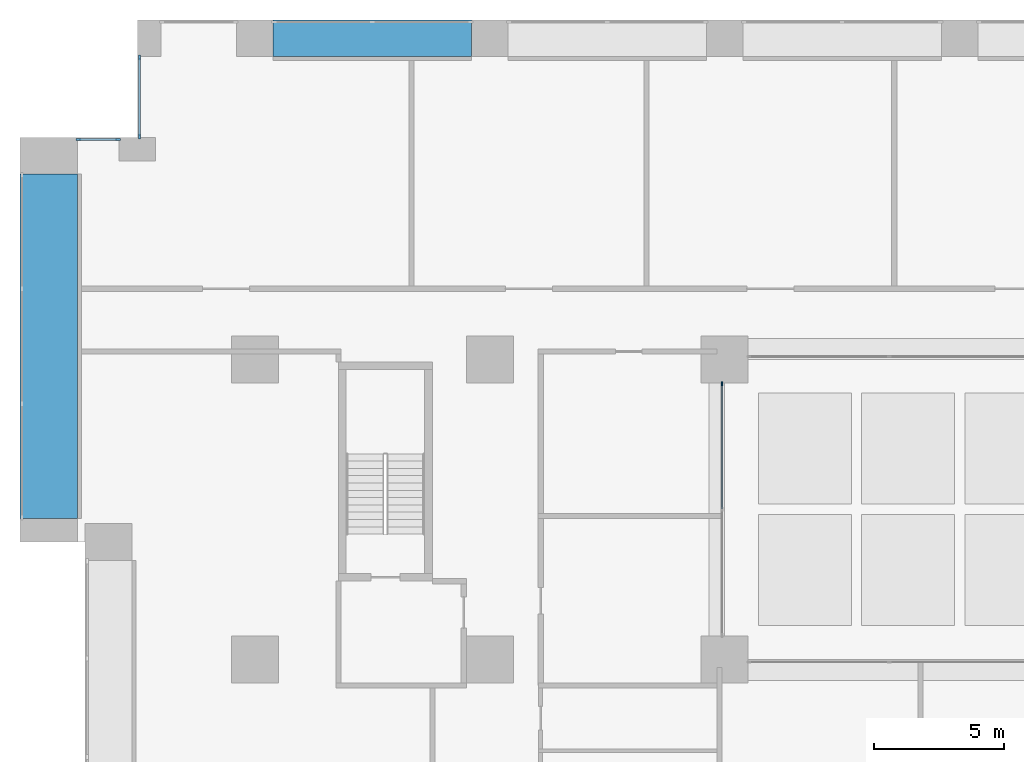
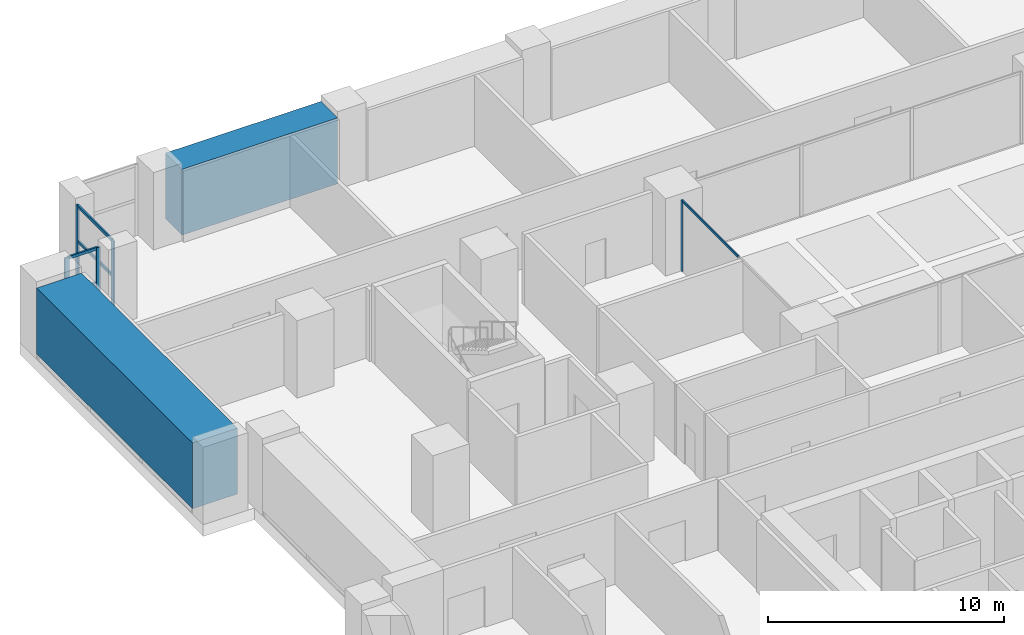
# One storey, part 6 of 24: 10 members, 2 beams, 3 elements without a shape of their own.
"""IFC4 building model written with IfcOpenShell, lengths in metres."""

import ifcopenshell
import ifcopenshell.guid

model = None  # the IFC model being written
_history = None  # IfcOwnerHistory: only IFC2X3 demands one
_inside = {}  # id of a spatial element -> (the spatial element, [elements in it])
_under = {}  # id of a project, library or spatial element -> (it, [spatial elements below it])
_declared = {}  # id of a project -> (the project, [libraries it declares])
_typed = {}  # id of a type object -> (the type object, [elements of that type])
_made_of = {}  # id of a material, layer set ... -> (it, [elements and type objects made of it])


def new_model(schema):
    """Start an empty IFC model of exactly this schema.

    Asked for "IFC4X3", IfcOpenShell would pick the latest addendum, in which some entities
    have other attributes; the version numbers below select the first issue.
    IFC2X3 requires an IfcOwnerHistory on every rooted entity: one is made here for all.
    """
    global model, _history
    if schema == "IFC4X3":
        model = ifcopenshell.file(schema_version=(4, 3, 0, 0))
    else:
        model = ifcopenshell.file(schema=schema)
    _inside.clear()
    _under.clear()
    _declared.clear()
    _typed.clear()
    _made_of.clear()
    _history = None
    if model.schema == "IFC2X3":
        org = make("IfcOrganization", Name="unknown")
        user = make(
            "IfcPersonAndOrganization",
            ThePerson=make("IfcPerson", FamilyName="unknown"),
            TheOrganization=org,
        )
        app = make(
            "IfcApplication",
            ApplicationDeveloper=org,
            Version="unknown",
            ApplicationFullName="unknown",
            ApplicationIdentifier="unknown",
        )
        _history = make(
            "IfcOwnerHistory",
            OwningUser=user,
            OwningApplication=app,
            ChangeAction="ADDED",
            CreationDate=0,
        )
    return model


def make(cls, **values):
    """One entity of the class cls with the attributes given. An attribute that is None is left unset."""
    return model.create_entity(
        cls, **{name: value for name, value in values.items() if value is not None}
    )


def rooted(cls, **values):
    """An entity with a GlobalId (a new one), such as an element, a storey or a relation."""
    return make(cls, GlobalId=ifcopenshell.guid.new(), OwnerHistory=_history, **values)


def si_unit(unit_type, name, prefix=None):
    """IfcSIUnit, for example si_unit("LENGTHUNIT", "METRE", prefix="MILLI")."""
    return make("IfcSIUnit", UnitType=unit_type, Prefix=prefix, Name=name)


def assignment(units):
    """IfcUnitAssignment: the units of a project."""
    return None if units is None else make("IfcUnitAssignment", Units=units)


def point(xyz):
    """IfcCartesianPoint."""
    return None if xyz is None else make("IfcCartesianPoint", Coordinates=xyz)


def direction(xyz):
    """IfcDirection."""
    return None if xyz is None else make("IfcDirection", DirectionRatios=xyz)


def frame(location, z_axis=None, x_axis=None):
    """IfcAxis2Placement3D, a coordinate frame: its origin and axes. An axis left out is left unset."""
    return make(
        "IfcAxis2Placement3D",
        Location=point(location),
        Axis=direction(z_axis),
        RefDirection=direction(x_axis),
    )


def frame_2d(location, x_axis=None):
    """IfcAxis2Placement2D, a coordinate frame in the plane: its origin and x axis."""
    return make(
        "IfcAxis2Placement2D", Location=point(location), RefDirection=direction(x_axis)
    )


def origin():
    """The frame at (0, 0, 0) with its axes left unset."""
    return frame((0.0, 0.0, 0.0))


def origin_2d():
    """The frame at (0, 0) in the plane with its x axis left unset."""
    return frame_2d((0.0, 0.0))


def place(relative_to, where):
    """IfcLocalPlacement: puts the frame where relative to a parent placement (None: the world)."""
    return make(
        "IfcLocalPlacement", PlacementRelTo=relative_to, RelativePlacement=where
    )


def context(
    kind, dimensions, precision=None, world=None, true_north=None, identifier=None
):
    """IfcGeometricRepresentationContext, for example the 3D "Model" context."""
    return make(
        "IfcGeometricRepresentationContext",
        ContextIdentifier=identifier,
        ContextType=kind,
        CoordinateSpaceDimension=dimensions,
        Precision=precision,
        WorldCoordinateSystem=world,
        TrueNorth=true_north,
    )


def subcontext(parent, identifier, kind, view, scale=None):
    """IfcGeometricRepresentationSubContext, for example "Body" below "Model"."""
    return make(
        "IfcGeometricRepresentationSubContext",
        ContextIdentifier=identifier,
        ContextType=kind,
        ParentContext=parent,
        TargetScale=scale,
        TargetView=view,
    )


def project(units=None, contexts=None):
    """IfcProject with its units and contexts."""
    return rooted(
        "IfcProject",
        Name="project",
        RepresentationContexts=contexts,
        UnitsInContext=assignment(units),
    )


def spatial(cls, under=None, at=None, **own):
    """A site, building, storey or space (cls), placed at a placement, below another one or the project."""
    s = rooted(cls, ObjectPlacement=at, **own)
    if under is not None:
        _under.setdefault(under.id(), (under, []))[1].append(s)
    return s


def profile(cls, at=None, kind="AREA", **sizes):
    """A parametric profile (cls). Its sizes go by their IFC names, for example OverallWidth=200.0."""
    return make(cls, ProfileType=kind, Position=at, **sizes)


def rectangle(**sizes):
    """IfcRectangleProfileDef."""
    return profile("IfcRectangleProfileDef", **sizes)


def extrude(swept, where, along, depth):
    """IfcExtrudedAreaSolid: the profile swept, set in the frame where, extruded along a direction by depth."""
    return make(
        "IfcExtrudedAreaSolid",
        SweptArea=swept,
        Position=where,
        ExtrudedDirection=direction(along),
        Depth=depth,
    )


def shape(context_of_items, identifier, shape_type, items):
    """IfcShapeRepresentation: the items that make up one representation, for example the "Body"."""
    return make(
        "IfcShapeRepresentation",
        ContextOfItems=context_of_items,
        RepresentationIdentifier=identifier,
        RepresentationType=shape_type,
        Items=items,
    )


def material(Name=None, Category=None):
    """IfcMaterial."""
    return make("IfcMaterial", Name=Name, Category=Category)


def layer(
    of_material, thickness, ventilated=None, Name=None, Category=None, Priority=None
):
    """IfcMaterialLayer: one layer of a wall or slab, of a material (None: an air gap)."""
    return make(
        "IfcMaterialLayer",
        Material=of_material,
        LayerThickness=thickness,
        IsVentilated=ventilated,
        Name=Name,
        Category=Category,
        Priority=Priority,
    )


def layer_set(layers, Name=None):
    """IfcMaterialLayerSet."""
    return make("IfcMaterialLayerSet", MaterialLayers=layers, LayerSetName=Name)


def material_profile(
    of_material, cross_section, Name=None, Category=None, Priority=None
):
    """IfcMaterialProfile: a cross section and its material."""
    return make(
        "IfcMaterialProfile",
        Name=Name,
        Material=of_material,
        Profile=cross_section,
        Priority=Priority,
        Category=Category,
    )


def profile_set(profiles, Name=None, composite=None):
    """IfcMaterialProfileSet."""
    return make(
        "IfcMaterialProfileSet",
        Name=Name,
        MaterialProfiles=profiles,
        CompositeProfile=composite,
    )


def made_of(thing, what):
    """Note that an element or type object is made of a material, layer set ...; save() writes the relation."""
    if what is not None:
        _made_of.setdefault(what.id(), (what, []))[1].append(thing)
    return thing


def type_object(cls, material=None, **own):
    """A type object (cls), such as IfcWallType, which elements share."""
    return made_of(rooted(cls, **own), material)


def element(
    cls,
    number,
    at=None,
    inside=None,
    cuts=None,
    type_object=None,
    material=None,
    context=None,
    identifier="Body",
    shape_type=None,
    held_by="IfcProductDefinitionShape",
    body=None,
    shapes=None,
    **own,
):
    """One element of the class cls, such as IfcWall. Its Tag is "e" and its number.

    at: its placement. inside: the storey or other place that contains it. cuts: it is an
    opening in that element (IfcRelVoidsElement). A single representation is given by context,
    identifier, shape_type and body (its items); several are given by shapes. held_by: the class
    of the entity that holds the representations. save() writes the other relations.
    """
    e = rooted(cls, Tag="e%d" % number, ObjectPlacement=at, **own)
    if body is not None:
        shapes = [shape(context, identifier, shape_type, body)]
    if shapes is not None:
        e.Representation = make(held_by, Representations=shapes)
    if inside is not None:
        _inside.setdefault(inside.id(), (inside, []))[1].append(e)
    if cuts is not None:
        rooted(
            "IfcRelVoidsElement", RelatingBuildingElement=cuts, RelatedOpeningElement=e
        )
    if type_object is not None:
        _typed.setdefault(type_object.id(), (type_object, []))[1].append(e)
    return made_of(e, material)


def aggregate(whole, parts):
    """IfcRelAggregates: a whole, such as a stair, and the parts it consists of."""
    return rooted("IfcRelAggregates", RelatingObject=whole, RelatedObjects=parts)


def save(model, path):
    """Write the relations noted so far, then the file.

    IfcRelAggregates (storeys below a building ...), IfcRelContainedInSpatialStructure (elements
    in a storey), IfcRelDefinesByType, IfcRelAssociatesMaterial and IfcRelDeclares: one each for
    every whole, place, type object, material and project.
    """
    for whole, parts in _under.values():
        aggregate(whole, parts)
    for where, things in _inside.values():
        rooted(
            "IfcRelContainedInSpatialStructure",
            RelatedElements=things,
            RelatingStructure=where,
        )
    for kind, things in _typed.values():
        rooted("IfcRelDefinesByType", RelatedObjects=things, RelatingType=kind)
    for what, things in _made_of.values():
        rooted("IfcRelAssociatesMaterial", RelatedObjects=things, RelatingMaterial=what)
    for by, libraries in _declared.values():
        rooted("IfcRelDeclares", RelatingContext=by, RelatedDefinitions=libraries)
    model.write(path)


model = new_model("IFC4")

# Units and contexts
model_context = context("Model", 3, precision=1e-05, world=origin(), true_north=direction((0.0, 1.0)))
body_context = subcontext(model_context, "Body", "Model", "MODEL_VIEW")
ifc_project = project(units=[si_unit("LENGTHUNIT", "METRE"), si_unit("AREAUNIT", "SQUARE_METRE"), si_unit("VOLUMEUNIT", "CUBIC_METRE"), si_unit("PLANEANGLEUNIT", "RADIAN"), si_unit("MASSUNIT", "GRAM", prefix="KILO")], contexts=[model_context])

# Site, building, storey
site_placement = place(None, origin())
site = spatial("IfcSite", under=ifc_project, at=site_placement, CompositionType="ELEMENT")
building_placement = place(site_placement, origin())
building = spatial("IfcBuilding", under=site, at=building_placement, Name="Brigalow Station Residences", CompositionType="ELEMENT")
storey_placement = place(building_placement, frame((0.0, 0.0, 15.5)))
storey = spatial("IfcBuildingStorey", under=building, at=storey_placement, Name="L03", CompositionType="ELEMENT", Elevation=15.5)

# Curtain wall, members
ifc_material_1 = material(Name="Aluminium", Category="aluminium")
ifc_layer_1 = layer(ifc_material_1, 0.14990234375)
ifc_layer_set_1 = layer_set([ifc_layer_1], Name="ATRIUM FIRE-RATED GLAZING CURTAIN WALL")
curtain_wall_type_1 = type_object("IfcCurtainWallType", Name="ATRIUM FIRE-RATED GLAZING CURTAIN WALL", PredefinedType="NOTDEFINED", material=ifc_layer_set_1)
curtain_wall_1_placement = place(storey_placement, origin())
curtain_wall_1 = element("IfcCurtainWall", 1, at=curtain_wall_1_placement, inside=storey, type_object=curtain_wall_type_1, Name="L03/cw/atrium-W", PredefinedType="NOTDEFINED")
ifc_material_2 = material(Name="Aluminium", Category="aluminium")
ifc_material_profile_1 = material_profile(ifc_material_2, rectangle(XDim=0.06005859375, YDim=0.14990234375, at=origin_2d()), Name="ATRIUM FIRE-RATED GLAZING MULLION 60x150")
ifc_profile_set_1 = profile_set([ifc_material_profile_1], Name="Aluminium")
member_type_1 = type_object("IfcMemberType", Name="ATRIUM FIRE-RATED GLAZING MULLION 60x150", PredefinedType="MULLION", material=ifc_profile_set_1)
member_1_placement = place(storey_placement, frame((26.89990234375, 34.570068359375, 0.0), z_axis=(0.0, 0.0, 1.0), x_axis=(1.0, 0.0, 0.0)))
member_1 = element("IfcMember", 2, at=member_1_placement, type_object=member_type_1, Name="L03/cw/atrium-W/M00", PredefinedType="MULLION", context=body_context, shape_type="SweptSolid", body=[
    extrude(rectangle(XDim=0.06005859375, YDim=0.14990234375, at=origin_2d()), origin(), (0.0, 0.0, 1.0), 3.679931640625),
])
ifc_material_3 = material(Name="Aluminium", Category="aluminium")
ifc_material_profile_2 = material_profile(ifc_material_3, rectangle(XDim=0.06005859375, YDim=0.1201171875, at=origin_2d()), Name="ATRIUM FIRE-RATED GLAZING TRANSOM 60x120")
ifc_profile_set_2 = profile_set([ifc_material_profile_2], Name="Aluminium")
member_type_2 = type_object("IfcMemberType", Name="ATRIUM FIRE-RATED GLAZING TRANSOM 60x120", PredefinedType="USERDEFINED", material=ifc_profile_set_2)
member_2_placement = place(storey_placement, frame((26.89990234375, 34.5400390625, 3.64990234375), z_axis=(0.0, -1.0, 0.0), x_axis=(1.0, 0.0, 0.0)))
member_2 = element("IfcMember", 3, at=member_2_placement, type_object=member_type_2, Name="L03/cw/atrium-W/T00-00", ObjectType="TRANSOM", PredefinedType="USERDEFINED", context=body_context, shape_type="SweptSolid", body=[
    extrude(rectangle(XDim=0.06005859375, YDim=0.1201171875, at=origin_2d()), origin(), (0.0, 0.0, 1.0), 4.760009765625),
])
aggregate(curtain_wall_1, [member_1, member_2])

ifc_material_4 = material(Name="Aluminium", Category="aluminium")
ifc_layer_2 = layer(ifc_material_4, 0.199951171875)
ifc_layer_set_2 = layer_set([ifc_layer_2], Name="REFUGE FLOOR LOUVRE CURTAIN WALL")
curtain_wall_type_2 = type_object("IfcCurtainWallType", Name="REFUGE FLOOR LOUVRE CURTAIN WALL", PredefinedType="NOTDEFINED", material=ifc_layer_set_2)
curtain_wall_2_placement = place(storey_placement, origin())
curtain_wall_2 = element("IfcCurtainWall", 4, at=curtain_wall_2_placement, inside=storey, type_object=curtain_wall_type_2, Name="L03/cw/louvre-W-L03-40-8", PredefinedType="NOTDEFINED")
ifc_material_5 = material(Name="Aluminium", Category="aluminium")
ifc_material_profile_3 = material_profile(ifc_material_5, rectangle(XDim=0.080078125, YDim=0.199951171875, at=origin_2d()), Name="REFUGE FLOOR LOUVRE MULLION 80x200")
ifc_profile_set_3 = profile_set([ifc_material_profile_3], Name="Aluminium")
member_type_3 = type_object("IfcMemberType", Name="REFUGE FLOOR LOUVRE MULLION 80x200", PredefinedType="MULLION", material=ifc_profile_set_3)
member_3_placement = place(storey_placement, frame((4.574951171875, 47.06005859375, 0.0), z_axis=(0.0, 0.0, 1.0), x_axis=(1.0, 0.0, 0.0)))
member_3 = element("IfcMember", 5, at=member_3_placement, type_object=member_type_3, Name="L03/cw/louvre-W-L03-40-8/M00", PredefinedType="MULLION", context=body_context, shape_type="SweptSolid", body=[
    extrude(rectangle(XDim=0.080078125, YDim=0.199951171875, at=origin_2d()), origin(), (0.0, 0.0, 1.0), 3.679931640625),
])
member_4_placement = place(storey_placement, frame((4.574951171875, 44.0400390625, 0.0), z_axis=(0.0, 0.0, 1.0), x_axis=(1.0, 0.0, 0.0)))
member_4 = element("IfcMember", 6, at=member_4_placement, type_object=member_type_3, Name="L03/cw/louvre-W-L03-40-8/M01", PredefinedType="MULLION", context=body_context, shape_type="SweptSolid", body=[
    extrude(rectangle(XDim=0.080078125, YDim=0.199951171875, at=origin_2d()), origin(), (0.0, 0.0, 1.0), 3.679931640625),
])

curtain_wall_3_placement = place(storey_placement, origin())
curtain_wall_3 = element("IfcCurtainWall", 7, at=curtain_wall_3_placement, inside=storey, type_object=curtain_wall_type_2, Name="L03/cw/louvre-W-L03-41-9", PredefinedType="NOTDEFINED")
member_5_placement = place(storey_placement, frame((3.760009765625, 43.925048828125, 0.0), z_axis=(0.0, 0.0, 1.0), x_axis=(0.0, -1.0, 0.0)))
member_5 = element("IfcMember", 8, at=member_5_placement, type_object=member_type_3, Name="L03/cw/louvre-W-L03-41-9/M00", PredefinedType="MULLION", context=body_context, shape_type="SweptSolid", body=[
    extrude(rectangle(XDim=0.080078125, YDim=0.199951171875, at=origin_2d()), origin(), (0.0, 0.0, 1.0), 3.679931640625),
])
member_6_placement = place(storey_placement, frame((2.239990234375, 43.925048828125, 0.0), z_axis=(0.0, 0.0, 1.0), x_axis=(0.0, -1.0, 0.0)))
member_6 = element("IfcMember", 9, at=member_6_placement, type_object=member_type_3, Name="L03/cw/louvre-W-L03-41-9/M01", PredefinedType="MULLION", context=body_context, shape_type="SweptSolid", body=[
    extrude(rectangle(XDim=0.080078125, YDim=0.199951171875, at=origin_2d()), origin(), (0.0, 0.0, 1.0), 3.679931640625),
])

# Member
ifc_material_6 = material(Name="Aluminium", Category="aluminium")
ifc_material_profile_4 = material_profile(ifc_material_6, rectangle(XDim=0.080078125, YDim=0.14990234375, at=origin_2d()), Name="REFUGE FLOOR LOUVRE TRANSOM 80x150")
ifc_profile_set_4 = profile_set([ifc_material_profile_4], Name="Aluminium")
member_type_4 = type_object("IfcMemberType", Name="REFUGE FLOOR LOUVRE TRANSOM 80x150", PredefinedType="USERDEFINED", material=ifc_profile_set_4)
member_7_placement = place(storey_placement, frame((4.574951171875, 47.02001953125, 1.840087890625), z_axis=(0.0, -1.0, 0.0), x_axis=(1.0, 0.0, 0.0)))
member_7 = element("IfcMember", 10, at=member_7_placement, type_object=member_type_4, Name="L03/cw/louvre-W-L03-40-8/T00-00", ObjectType="TRANSOM", PredefinedType="USERDEFINED", context=body_context, shape_type="SweptSolid", body=[
    extrude(rectangle(XDim=0.080078125, YDim=0.14990234375, at=origin_2d()), origin(), (0.0, 0.0, 1.0), 2.93994140625),
])

member_8_placement = place(storey_placement, frame((4.574951171875, 47.02001953125, 3.639892578125), z_axis=(0.0, -1.0, 0.0), x_axis=(1.0, 0.0, 0.0)))
member_8 = element("IfcMember", 11, at=member_8_placement, type_object=member_type_4, Name="L03/cw/louvre-W-L03-40-8/T00-01", ObjectType="TRANSOM", PredefinedType="USERDEFINED", context=body_context, shape_type="SweptSolid", body=[
    extrude(rectangle(XDim=0.080078125, YDim=0.14990234375, at=origin_2d()), origin(), (0.0, 0.0, 1.0), 2.93994140625),
])

aggregate(curtain_wall_2, [member_3, member_4, member_7, member_8])

member_9_placement = place(storey_placement, frame((3.719970703125, 43.925048828125, 1.840087890625), z_axis=(-1.0, 0.0, 0.0), x_axis=(0.0, -1.0, 0.0)))
member_9 = element("IfcMember", 12, at=member_9_placement, type_object=member_type_4, Name="L03/cw/louvre-W-L03-41-9/T00-00", ObjectType="TRANSOM", PredefinedType="USERDEFINED", context=body_context, shape_type="SweptSolid", body=[
    extrude(rectangle(XDim=0.080078125, YDim=0.14990234375, at=origin_2d()), origin(), (0.0, 0.0, 1.0), 1.43994140625),
])

member_10_placement = place(storey_placement, frame((3.719970703125, 43.925048828125, 3.639892578125), z_axis=(-1.0, 0.0, 0.0), x_axis=(0.0, -1.0, 0.0)))
member_10 = element("IfcMember", 13, at=member_10_placement, type_object=member_type_4, Name="L03/cw/louvre-W-L03-41-9/T00-01", ObjectType="TRANSOM", PredefinedType="USERDEFINED", context=body_context, shape_type="SweptSolid", body=[
    extrude(rectangle(XDim=0.080078125, YDim=0.14990234375, at=origin_2d()), origin(), (0.0, 0.0, 1.0), 1.43994140625),
])

aggregate(curtain_wall_3, [member_5, member_6, member_9, member_10])

# Beams
ifc_material_7 = material(Name="Concrete C80", Category="concrete")
ifc_material_profile_5 = material_profile(ifc_material_7, rectangle(XDim=1.39990234375, YDim=3.39990234375, at=origin_2d()), Name="RC1400x3400")
ifc_profile_set_5 = profile_set([ifc_material_profile_5], Name="Concrete C80")
beam_type_1 = type_object("IfcBeamType", Name="TRANSFER GIRDER 1400x3400 C80", PredefinedType="USERDEFINED", material=ifc_profile_set_5)
beam_1_placement = place(storey_placement, frame((17.300048828125, 47.800048828125, 1.97998046875), z_axis=(-1.0, 0.0, 0.0), x_axis=(0.0, -1.0, 0.0)))
element("IfcBeam", 14, at=beam_1_placement, inside=storey, type_object=beam_type_1, Name="TRANSFER GIRDER N-14 L03", ObjectType="TRANSFER GIRDER", PredefinedType="USERDEFINED", context=body_context, shape_type="SweptSolid", body=[
    extrude(rectangle(XDim=1.39990234375, YDim=3.39990234375, at=origin_2d()), origin(), (0.0, 0.0, 1.0), 7.60009765625),
])
ifc_material_8 = material(Name="Concrete C80", Category="concrete")
ifc_material_profile_6 = material_profile(ifc_material_8, rectangle(XDim=2.199951171875, YDim=3.39990234375, at=origin_2d()), Name="RC2200x3400")
ifc_profile_set_6 = profile_set([ifc_material_profile_6], Name="Concrete C80")
beam_type_2 = type_object("IfcBeamType", Name="TRANSFER GIRDER OVER 12 M SPAN 2200x3400 C80", PredefinedType="USERDEFINED", material=ifc_profile_set_6)
beam_2_placement = place(storey_placement, frame((1.10009765625, 42.60009765625, 1.97998046875), z_axis=(0.0, -1.0, 0.0), x_axis=(1.0, 0.0, 0.0)))
element("IfcBeam", 15, at=beam_2_placement, inside=storey, type_object=beam_type_2, Name="TRANSFER GIRDER W2-2 L03", ObjectType="TRANSFER GIRDER", PredefinedType="USERDEFINED", context=body_context, shape_type="SweptSolid", body=[
    extrude(rectangle(XDim=2.199951171875, YDim=3.39990234375, at=origin_2d()), origin(), (0.0, 0.0, 1.0), 13.2001953125),
])

save(model, "model.ifc")
